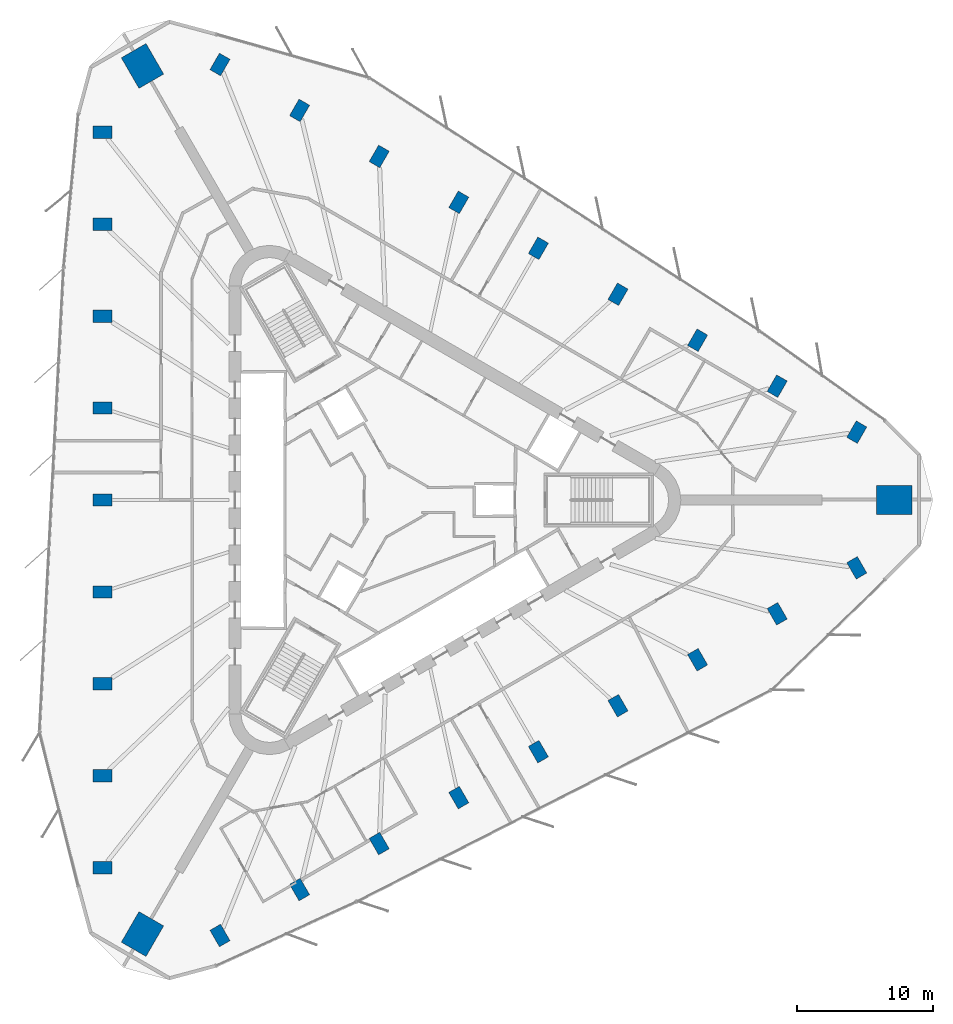
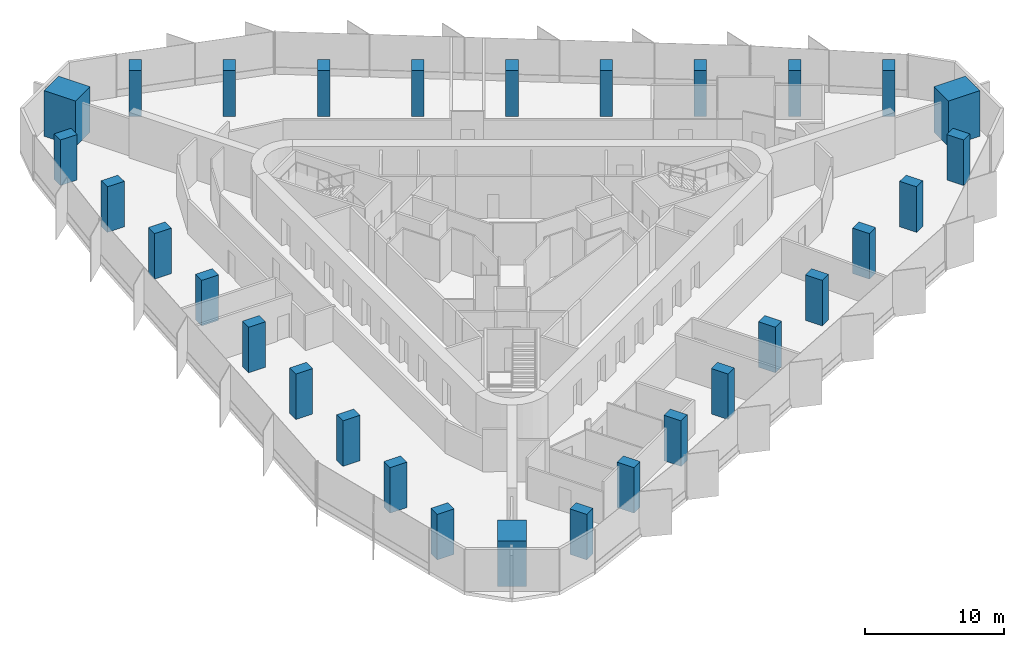
# One storey, part 1 of 14: 30 columns.
"""IFC4 building model written with IfcOpenShell, lengths in metres."""

from ifc_helpers import new_model, si_unit, direction, frame, origin, origin_2d, place, context, subcontext, project, spatial, rectangle, extrude, material, material_profile, profile_set, type_object, element, save


model = new_model("IFC4")

# Units and contexts
model_context = context("Model", 3, precision=1e-05, world=origin(), true_north=direction((0.0, 1.0)))
body_context = subcontext(model_context, "Body", "Model", "MODEL_VIEW")
ifc_project = project(units=[si_unit("LENGTHUNIT", "METRE"), si_unit("AREAUNIT", "SQUARE_METRE"), si_unit("VOLUMEUNIT", "CUBIC_METRE"), si_unit("PLANEANGLEUNIT", "RADIAN"), si_unit("MASSUNIT", "GRAM", prefix="KILO")], contexts=[model_context])

# Site, building, storey
site_placement = place(None, origin())
site = spatial("IfcSite", under=ifc_project, at=site_placement, CompositionType="ELEMENT")
building_placement = place(site_placement, origin())
building = spatial("IfcBuilding", under=site, at=building_placement, Name="Tanit Gate Tower", CompositionType="ELEMENT")
storey_placement = place(building_placement, frame((0.0, 0.0, 261.199951171875)))
storey = spatial("IfcBuildingStorey", under=building, at=storey_placement, Name="L59", CompositionType="ELEMENT", Elevation=261.199951171875)

# Columns
ifc_material_1 = material(Name="Concrete C60/75", Category="concrete")
ifc_material_profile_1 = material_profile(ifc_material_1, rectangle(XDim=2.60009765625, YDim=2.10009765625, at=origin_2d()), Name="RC 2600x2100")
ifc_profile_set_1 = profile_set([ifc_material_profile_1], Name="Concrete C60/75")
column_type_1 = type_object("IfcColumnType", Name="MEGA COLUMN 2600x2100 C60/75", PredefinedType="COLUMN", material=ifc_profile_set_1)
for number, where, z_axis, x_axis, name in (
    (1, (36.919921875, 0.0, 0.0), (0.0, 0.0, 1.0), (1.0, 0.0, 0.0), "MEGA COLUMN"),
    (2, (-18.4599609375, 31.9736328125, 0.0), (0.0, 0.0, 1.0), (-0.5, 0.866025403784, 0.0), "MEGA COLUMN"),
    (3, (-18.4599609375, -31.9736328125, 0.0), (0.0, 0.0, 1.0), (-0.5, -0.866025403784, 0.0), "MEGA COLUMN"),
):
    element("IfcColumn", number, at=place(storey_placement, frame(where, z_axis=z_axis, x_axis=x_axis)), inside=storey, type_object=column_type_1, Name=name, PredefinedType="COLUMN", context=body_context, shape_type="SweptSolid", body=[
        extrude(rectangle(XDim=2.60009765625, YDim=2.10009765625, at=origin_2d()), origin(), (0.0, 0.0, 1.0), 4.0),
    ])
ifc_material_2 = material(Name="Concrete C50/60", Category="concrete")
ifc_material_profile_2 = material_profile(ifc_material_2, rectangle(XDim=1.39990234375, YDim=0.89990234375, at=origin_2d()), Name="RC 1400x900")
ifc_profile_set_2 = profile_set([ifc_material_profile_2], Name="Concrete C50/60")
column_type_2 = type_object("IfcColumnType", Name="PERIMETER COLUMN 1400x900 C50/60", PredefinedType="COLUMN", material=ifc_profile_set_2)
for number, where, z_axis, x_axis, name in (
    (4, (-21.4072265625, 27.083984375, 0.0), (0.0, 0.0, 1.0), (-1.0, 0.0, 0.0), "PERIMETER COLUMN"),
    (5, (-21.4072265625, 20.31298828125, 0.0), (0.0, 0.0, 1.0), (-1.0, 0.0, 0.0), "PERIMETER COLUMN"),
    (6, (-21.4072265625, 13.5419921875, 0.0), (0.0, 0.0, 1.0), (-1.0, 0.0, 0.0), "PERIMETER COLUMN"),
    (7, (-21.4072265625, 6.77099609375, 0.0), (0.0, 0.0, 1.0), (-1.0, 0.0, 0.0), "PERIMETER COLUMN"),
    (8, (-21.4072265625, 0.0, 0.0), (0.0, 0.0, 1.0), (-1.0, 0.0, 0.0), "PERIMETER COLUMN"),
    (9, (-21.4072265625, -6.77099609375, 0.0), (0.0, 0.0, 1.0), (-1.0, 0.0, 0.0), "PERIMETER COLUMN"),
    (10, (-21.4072265625, -13.5419921875, 0.0), (0.0, 0.0, 1.0), (-1.0, 0.0, 0.0), "PERIMETER COLUMN"),
    (11, (-21.4072265625, -20.31298828125, 0.0), (0.0, 0.0, 1.0), (-1.0, 0.0, 0.0), "PERIMETER COLUMN"),
    (12, (-21.4072265625, -27.083984375, 0.0), (0.0, 0.0, 1.0), (-1.0, 0.0, 0.0), "PERIMETER COLUMN"),
    (13, (34.158935546875, 4.997314453125, 0.0), (0.0, 0.0, 1.0), (0.5, 0.866025403784, 0.0), "PERIMETER COLUMN"),
    (14, (28.295166015625, 8.3828125, 0.0), (0.0, 0.0, 1.0), (0.5, 0.866025403784, 0.0), "PERIMETER COLUMN"),
    (15, (22.431396484375, 11.768310546875, 0.0), (0.0, 0.0, 1.0), (0.5, 0.866025403784, 0.0), "PERIMETER COLUMN"),
    (16, (16.5673828125, 15.15380859375, 0.0), (0.0, 0.0, 1.0), (0.5, 0.866025403784, 0.0), "PERIMETER COLUMN"),
    (17, (10.70361328125, 18.539306640625, 0.0), (0.0, 0.0, 1.0), (0.5, 0.866025403784, 0.0), "PERIMETER COLUMN"),
    (18, (4.83984375, 21.9248046875, 0.0), (0.0, 0.0, 1.0), (0.5, 0.866025403784, 0.0), "PERIMETER COLUMN"),
    (19, (-1.02392578125, 25.310302734375, 0.0), (0.0, 0.0, 1.0), (0.5, 0.866025403784, 0.0), "PERIMETER COLUMN"),
    (20, (-6.887939453125, 28.69580078125, 0.0), (0.0, 0.0, 1.0), (0.5, 0.866025403784, 0.0), "PERIMETER COLUMN"),
    (21, (-12.751708984375, 32.081298828125, 0.0), (0.0, 0.0, 1.0), (0.5, 0.866025403784, 0.0), "PERIMETER COLUMN"),
    (22, (-12.751708984375, -32.081298828125, 0.0), (0.0, 0.0, 1.0), (0.5, -0.866025403784, 0.0), "PERIMETER COLUMN"),
    (23, (-6.887939453125, -28.69580078125, 0.0), (0.0, 0.0, 1.0), (0.5, -0.866025403784, 0.0), "PERIMETER COLUMN"),
    (24, (-1.02392578125, -25.310302734375, 0.0), (0.0, 0.0, 1.0), (0.5, -0.866025403784, 0.0), "PERIMETER COLUMN"),
    (25, (4.83984375, -21.9248046875, 0.0), (0.0, 0.0, 1.0), (0.5, -0.866025403784, 0.0), "PERIMETER COLUMN"),
    (26, (10.70361328125, -18.539306640625, 0.0), (0.0, 0.0, 1.0), (0.5, -0.866025403784, 0.0), "PERIMETER COLUMN"),
    (27, (16.5673828125, -15.15380859375, 0.0), (0.0, 0.0, 1.0), (0.5, -0.866025403784, 0.0), "PERIMETER COLUMN"),
    (28, (22.431396484375, -11.768310546875, 0.0), (0.0, 0.0, 1.0), (0.5, -0.866025403784, 0.0), "PERIMETER COLUMN"),
    (29, (28.295166015625, -8.3828125, 0.0), (0.0, 0.0, 1.0), (0.5, -0.866025403784, 0.0), "PERIMETER COLUMN"),
    (30, (34.158935546875, -4.997314453125, 0.0), (0.0, 0.0, 1.0), (0.5, -0.866025403784, 0.0), "PERIMETER COLUMN"),
):
    element("IfcColumn", number, at=place(storey_placement, frame(where, z_axis=z_axis, x_axis=x_axis)), inside=storey, type_object=column_type_2, Name=name, PredefinedType="COLUMN", context=body_context, shape_type="SweptSolid", body=[
        extrude(rectangle(XDim=1.39990234375, YDim=0.89990234375, at=origin_2d()), origin(), (0.0, 0.0, 1.0), 4.0),
    ])

save(model, "model.ifc")
